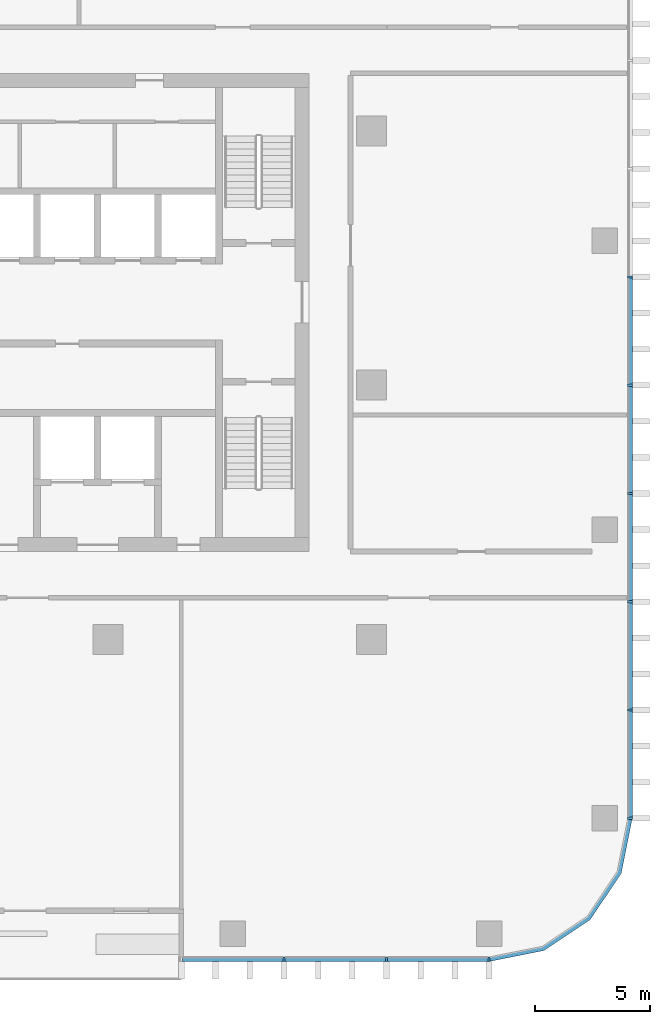
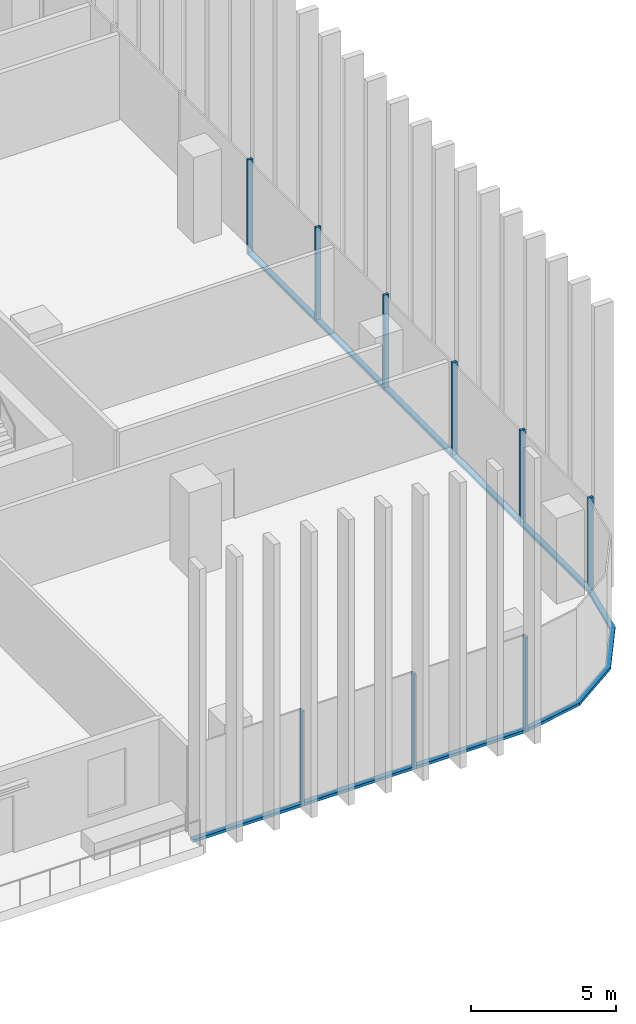
# One storey, part 3 of 16: 18 members, 3 elements without a shape of their own.
"""IFC4 building model written with IfcOpenShell, lengths in metres."""

from ifc_helpers import new_model, si_unit, direction, frame, origin, origin_2d, place, context, subcontext, project, spatial, polyline, rectangle, outline, extrude, material, material_profile, profile_set, type_object, element, aggregate, save


model = new_model("IFC4")

# Units and contexts
model_context = context("Model", 3, precision=1e-05, world=origin(), true_north=direction((0.0, 1.0)))
body_context = subcontext(model_context, "Body", "Model", "MODEL_VIEW")
ifc_project = project(units=[si_unit("LENGTHUNIT", "METRE"), si_unit("AREAUNIT", "SQUARE_METRE"), si_unit("VOLUMEUNIT", "CUBIC_METRE"), si_unit("PLANEANGLEUNIT", "RADIAN"), si_unit("MASSUNIT", "GRAM", prefix="KILO")], contexts=[model_context])

# Site, building, storey
site_placement = place(None, origin())
site = spatial("IfcSite", under=ifc_project, at=site_placement, CompositionType="ELEMENT")
building_placement = place(site_placement, origin())
building = spatial("IfcBuilding", under=site, at=building_placement, Name="Mopane Tessera Tower", CompositionType="ELEMENT")
storey_placement = place(building_placement, frame((0.0, 0.0, 235.0)))
storey = spatial("IfcBuildingStorey", under=building, at=storey_placement, Name="L50", CompositionType="ELEMENT", Elevation=235.0)

# Curtain wall, members
ifc_material_1 = material(Name="Aluminium frame", Category="aluminium")
curtain_wall_type = type_object("IfcCurtainWallType", Name="Unitised curtain wall", PredefinedType="NOTDEFINED", material=ifc_material_1)
curtain_wall_1_placement = place(storey_placement, origin())
curtain_wall_1 = element("IfcCurtainWall", 1, at=curtain_wall_1_placement, inside=storey, type_object=curtain_wall_type, Name="e:cw:L50:S:7", PredefinedType="NOTDEFINED")
ifc_material_2 = material(Name="Aluminium frame", Category="aluminium")
ifc_material_profile_1 = material_profile(ifc_material_2, rectangle(XDim=0.10009765625, YDim=0.199951171875, at=origin_2d()))
ifc_profile_set_1 = profile_set([ifc_material_profile_1], Name="Aluminium frame")
member_type_1 = type_object("IfcMemberType", Name="Aluminium mullion 100 x 200", PredefinedType="MULLION", material=ifc_profile_set_1)
member_1_placement = place(storey_placement, frame((13.320068359375, -24.85009765625, -0.39990234375), z_axis=(0.0, 0.0, 1.0), x_axis=(1.0, 0.0, 0.0)))
member_1 = element("IfcMember", 2, at=member_1_placement, type_object=member_type_1, Name="e:cw:L50:S:7:mu8", PredefinedType="MULLION", context=body_context, shape_type="SweptSolid", body=[
    extrude(rectangle(XDim=0.10009765625, YDim=0.199951171875, at=origin_2d()), origin(), (0.0, 0.0, 1.0), 4.0),
])
member_2_placement = place(storey_placement, frame((17.760009765625, -24.85009765625, -0.39990234375), z_axis=(0.0, 0.0, 1.0), x_axis=(1.0, 0.0, 0.0)))
member_2 = element("IfcMember", 3, at=member_2_placement, type_object=member_type_1, Name="e:cw:L50:S:7:mu9", PredefinedType="MULLION", context=body_context, shape_type="SweptSolid", body=[
    extrude(rectangle(XDim=0.10009765625, YDim=0.199951171875, at=origin_2d()), origin(), (0.0, 0.0, 1.0), 4.0),
])
member_3_placement = place(storey_placement, frame((22.199951171875, -24.85009765625, -0.39990234375), z_axis=(0.0, 0.0, 1.0), x_axis=(1.0, 0.0, 0.0)))
member_3 = element("IfcMember", 4, at=member_3_placement, type_object=member_type_1, Name="e:cw:L50:S:7:mu10", PredefinedType="MULLION", context=body_context, shape_type="SweptSolid", body=[
    extrude(rectangle(XDim=0.10009765625, YDim=0.199951171875, at=origin_2d()), origin(), (0.0, 0.0, 1.0), 4.0),
])

curtain_wall_2_placement = place(storey_placement, origin())
curtain_wall_2 = element("IfcCurtainWall", 5, at=curtain_wall_2_placement, inside=storey, type_object=curtain_wall_type, Name="e:cw:L50:E:0", PredefinedType="NOTDEFINED")
member_4_placement = place(storey_placement, frame((28.300048828125, -18.75, -0.39990234375), z_axis=(0.0, 0.0, 1.0), x_axis=(0.0, 1.0, 0.0)))
member_4 = element("IfcMember", 6, at=member_4_placement, type_object=member_type_1, Name="e:cw:L50:E:0:mu0", PredefinedType="MULLION", context=body_context, shape_type="SweptSolid", body=[
    extrude(rectangle(XDim=0.10009765625, YDim=0.199951171875, at=origin_2d()), origin(), (0.0, 0.0, 1.0), 4.0),
])
member_5_placement = place(storey_placement, frame((28.300048828125, -14.0625, -0.39990234375), z_axis=(0.0, 0.0, 1.0), x_axis=(0.0, 1.0, 0.0)))
member_5 = element("IfcMember", 7, at=member_5_placement, type_object=member_type_1, Name="e:cw:L50:E:0:mu1", PredefinedType="MULLION", context=body_context, shape_type="SweptSolid", body=[
    extrude(rectangle(XDim=0.10009765625, YDim=0.199951171875, at=origin_2d()), origin(), (0.0, 0.0, 1.0), 4.0),
])
member_6_placement = place(storey_placement, frame((28.300048828125, -9.375, -0.39990234375), z_axis=(0.0, 0.0, 1.0), x_axis=(0.0, 1.0, 0.0)))
member_6 = element("IfcMember", 8, at=member_6_placement, type_object=member_type_1, Name="e:cw:L50:E:0:mu2", PredefinedType="MULLION", context=body_context, shape_type="SweptSolid", body=[
    extrude(rectangle(XDim=0.10009765625, YDim=0.199951171875, at=origin_2d()), origin(), (0.0, 0.0, 1.0), 4.0),
])
member_7_placement = place(storey_placement, frame((28.300048828125, -4.6875, -0.39990234375), z_axis=(0.0, 0.0, 1.0), x_axis=(0.0, 1.0, 0.0)))
member_7 = element("IfcMember", 9, at=member_7_placement, type_object=member_type_1, Name="e:cw:L50:E:0:mu3", PredefinedType="MULLION", context=body_context, shape_type="SweptSolid", body=[
    extrude(rectangle(XDim=0.10009765625, YDim=0.199951171875, at=origin_2d()), origin(), (0.0, 0.0, 1.0), 4.0),
])
member_8_placement = place(storey_placement, frame((28.300048828125, 0.0, -0.39990234375), z_axis=(0.0, 0.0, 1.0), x_axis=(0.0, 1.0, 0.0)))
member_8 = element("IfcMember", 10, at=member_8_placement, type_object=member_type_1, Name="e:cw:L50:E:0:mu4", PredefinedType="MULLION", context=body_context, shape_type="SweptSolid", body=[
    extrude(rectangle(XDim=0.10009765625, YDim=0.199951171875, at=origin_2d()), origin(), (0.0, 0.0, 1.0), 4.0),
])
member_9_placement = place(storey_placement, frame((28.300048828125, 4.6875, -0.39990234375), z_axis=(0.0, 0.0, 1.0), x_axis=(0.0, 1.0, 0.0)))
member_9 = element("IfcMember", 11, at=member_9_placement, type_object=member_type_1, Name="e:cw:L50:E:0:mu5", PredefinedType="MULLION", context=body_context, shape_type="SweptSolid", body=[
    extrude(rectangle(XDim=0.10009765625, YDim=0.199951171875, at=origin_2d()), origin(), (0.0, 0.0, 1.0), 4.0),
])

# Member
ifc_material_3 = material(Name="Aluminium frame", Category="aluminium")
ifc_material_profile_2 = material_profile(ifc_material_3, rectangle(XDim=0.199951171875, YDim=0.1201171875, at=origin_2d()))
ifc_profile_set_2 = profile_set([ifc_material_profile_2], Name="Aluminium frame")
member_type_2 = type_object("IfcMemberType", Name="Aluminium transom 200 x 120", PredefinedType="USERDEFINED", material=ifc_profile_set_2)
member_10_placement = place(storey_placement, frame((8.929931640625, -24.85009765625, -0.340087890625), z_axis=(1.0, 0.0, 0.0), x_axis=(0.0, 1.0, 0.0)))
member_10 = element("IfcMember", 12, at=member_10_placement, type_object=member_type_2, Name="e:cw:L50:S:7:tr7", ObjectType="TRANSOM", PredefinedType="USERDEFINED", context=body_context, shape_type="SweptSolid", body=[
    extrude(rectangle(XDim=0.199951171875, YDim=0.1201171875, at=origin_2d()), origin(), (0.0, 0.0, 1.0), 4.340087890625),
])

member_11_placement = place(storey_placement, frame((13.3701171875, -24.85009765625, -0.340087890625), z_axis=(1.0, 0.0, 0.0), x_axis=(0.0, 1.0, 0.0)))
member_11 = element("IfcMember", 13, at=member_11_placement, type_object=member_type_2, Name="e:cw:L50:S:7:tr8", ObjectType="TRANSOM", PredefinedType="USERDEFINED", context=body_context, shape_type="SweptSolid", body=[
    extrude(rectangle(XDim=0.199951171875, YDim=0.1201171875, at=origin_2d()), origin(), (0.0, 0.0, 1.0), 4.33984375),
])

member_12_placement = place(storey_placement, frame((17.81005859375, -24.85009765625, -0.340087890625), z_axis=(1.0, 0.0, 0.0), x_axis=(0.0, 1.0, 0.0)))
member_12 = element("IfcMember", 14, at=member_12_placement, type_object=member_type_2, Name="e:cw:L50:S:7:tr9", ObjectType="TRANSOM", PredefinedType="USERDEFINED", context=body_context, shape_type="SweptSolid", body=[
    extrude(rectangle(XDim=0.199951171875, YDim=0.1201171875, at=origin_2d()), origin(), (0.0, 0.0, 1.0), 4.33984375),
])

aggregate(curtain_wall_1, [member_1, member_2, member_3, member_10, member_11, member_12])

# Curtain wall, member
curtain_wall_3_placement = place(storey_placement, origin())
curtain_wall_3 = element("IfcCurtainWall", 15, at=curtain_wall_3_placement, inside=storey, type_object=curtain_wall_type, Name="e:cw:L50:CS", PredefinedType="NOTDEFINED")
member_13_placement = place(storey_placement, frame((0.0, 0.0, -0.39990234375)))
member_13 = element("IfcMember", 16, at=member_13_placement, type_object=member_type_2, Name="e:cw:L50:CS:tr", ObjectType="TRANSOM", PredefinedType="USERDEFINED", context=body_context, shape_type="SweptSolid", body=[
    extrude(outline(polyline([(22.199951171875, -24.75), (24.49609375, -24.293212890625), (26.442626953125, -22.99267578125), (27.7431640625, -21.046142578125), (28.199951171875, -18.75), (28.39990234375, -18.75), (27.927978515625, -21.12255859375), (26.583984375, -23.134033203125), (24.57275390625, -24.47802734375), (22.199951171875, -24.949951171875), (22.199951171875, -24.75)])), origin(), (0.0, 0.0, 1.0), 0.119873046875),
])
aggregate(curtain_wall_3, [member_13])

# Member
member_14_placement = place(storey_placement, frame((28.300048828125, -18.699951171875, -0.340087890625), z_axis=(0.0, 1.0, 0.0), x_axis=(-1.0, 0.0, 0.0)))
member_14 = element("IfcMember", 17, at=member_14_placement, type_object=member_type_2, Name="e:cw:L50:E:0:tr0", ObjectType="TRANSOM", PredefinedType="USERDEFINED", context=body_context, shape_type="SweptSolid", body=[
    extrude(rectangle(XDim=0.199951171875, YDim=0.1201171875, at=origin_2d()), origin(), (0.0, 0.0, 1.0), 4.58740234375),
])

member_15_placement = place(storey_placement, frame((28.300048828125, -14.012451171875, -0.340087890625), z_axis=(0.0, 1.0, 0.0), x_axis=(-1.0, 0.0, 0.0)))
member_15 = element("IfcMember", 18, at=member_15_placement, type_object=member_type_2, Name="e:cw:L50:E:0:tr1", ObjectType="TRANSOM", PredefinedType="USERDEFINED", context=body_context, shape_type="SweptSolid", body=[
    extrude(rectangle(XDim=0.199951171875, YDim=0.1201171875, at=origin_2d()), origin(), (0.0, 0.0, 1.0), 4.58740234375),
])

member_16_placement = place(storey_placement, frame((28.300048828125, -9.324951171875, -0.340087890625), z_axis=(0.0, 1.0, 0.0), x_axis=(-1.0, 0.0, 0.0)))
member_16 = element("IfcMember", 19, at=member_16_placement, type_object=member_type_2, Name="e:cw:L50:E:0:tr2", ObjectType="TRANSOM", PredefinedType="USERDEFINED", context=body_context, shape_type="SweptSolid", body=[
    extrude(rectangle(XDim=0.199951171875, YDim=0.1201171875, at=origin_2d()), origin(), (0.0, 0.0, 1.0), 4.58740234375),
])

member_17_placement = place(storey_placement, frame((28.300048828125, -4.637451171875, -0.340087890625), z_axis=(0.0, 1.0, 0.0), x_axis=(-1.0, 0.0, 0.0)))
member_17 = element("IfcMember", 20, at=member_17_placement, type_object=member_type_2, Name="e:cw:L50:E:0:tr3", ObjectType="TRANSOM", PredefinedType="USERDEFINED", context=body_context, shape_type="SweptSolid", body=[
    extrude(rectangle(XDim=0.199951171875, YDim=0.1201171875, at=origin_2d()), origin(), (0.0, 0.0, 1.0), 4.58740234375),
])

member_18_placement = place(storey_placement, frame((28.300048828125, 0.050048828125, -0.340087890625), z_axis=(0.0, 1.0, 0.0), x_axis=(-1.0, 0.0, 0.0)))
member_18 = element("IfcMember", 21, at=member_18_placement, type_object=member_type_2, Name="e:cw:L50:E:0:tr4", ObjectType="TRANSOM", PredefinedType="USERDEFINED", context=body_context, shape_type="SweptSolid", body=[
    extrude(rectangle(XDim=0.199951171875, YDim=0.1201171875, at=origin_2d()), origin(), (0.0, 0.0, 1.0), 4.58740234375),
])

aggregate(curtain_wall_2, [member_4, member_5, member_6, member_7, member_8, member_9, member_14, member_15, member_16, member_17, member_18])

save(model, "model.ifc")
